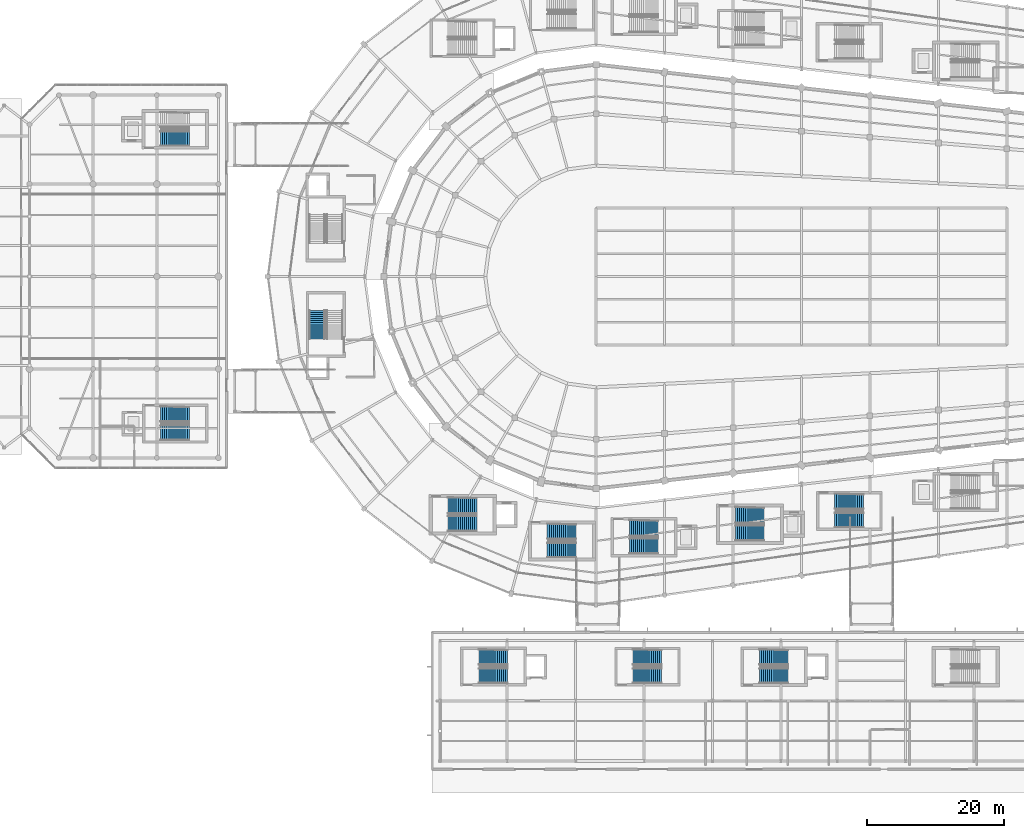
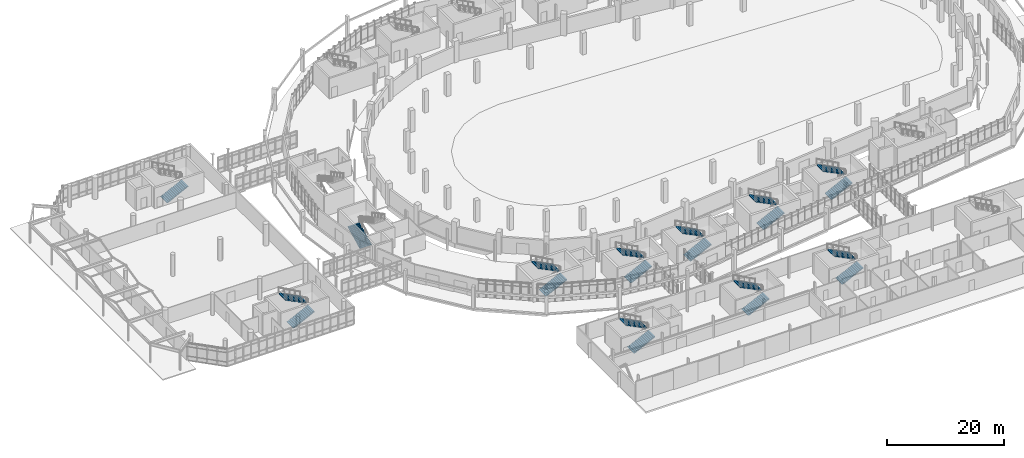
# One storey, part 111 of 122: 20 stair flights, 11 elements without a shape of their own.
"""IFC4 building model written with IfcOpenShell, lengths in metres."""

from ifc_helpers import new_model, si_unit, direction, frame, origin, place, context, subcontext, project, spatial, polyline, outline, extrude, material, type_object, element, aggregate, save


model = new_model("IFC4")

# Units and contexts
model_context = context("Model", 3, precision=1e-05, world=origin(), true_north=direction((0.0, 1.0)))
body_context = subcontext(model_context, "Body", "Model", "MODEL_VIEW")
ifc_project = project(units=[si_unit("LENGTHUNIT", "METRE"), si_unit("AREAUNIT", "SQUARE_METRE"), si_unit("VOLUMEUNIT", "CUBIC_METRE"), si_unit("PLANEANGLEUNIT", "RADIAN"), si_unit("MASSUNIT", "GRAM", prefix="KILO")], contexts=[model_context])

# Site, building, storey
site_placement = place(None, origin())
site = spatial("IfcSite", under=ifc_project, at=site_placement, CompositionType="ELEMENT")
building_placement = place(site_placement, origin())
building = spatial("IfcBuilding", under=site, at=building_placement, Name="Sohan Crest Arena", CompositionType="ELEMENT")
storey_placement = place(building_placement, origin())
storey = spatial("IfcBuildingStorey", under=building, at=storey_placement, Name="L00", CompositionType="ELEMENT", Elevation=0.0)

# Stair, stair flights
ifc_material = material(Name="Concrete C40/50", Category="concrete")
stair_type_1 = type_object("IfcStairType", Name="ST-450W", PredefinedType="TWO_STRAIGHT_RUN_STAIR", material=ifc_material)
stair_1_placement = place(storey_placement, origin())
stair_1 = element("IfcStair", 1, at=stair_1_placement, inside=storey, type_object=stair_type_1, Name="Protected exit stair ST12-L00", PredefinedType="TWO_STRAIGHT_RUN_STAIR")
stair_flight_type_1 = type_object("IfcStairFlightType", Name="FL-220-15", PredefinedType="STRAIGHT", material=ifc_material)
stair_flight_1_placement = place(storey_placement, frame((103.35009765625, 19.64990234375, 0.0), z_axis=(0.0, 0.0, 1.0), x_axis=(1.0, 0.0, 0.0)))
stair_flight_1 = element("IfcStairFlight", 2, at=stair_flight_1_placement, type_object=stair_flight_type_1, Name="ST12-L00 flight 1", NumberOfRisers=15, NumberOfTreads=14, PredefinedType="STRAIGHT", RiserHeight=0.15, TreadLength=0.3, context=body_context, shape_type="SweptSolid", body=[
    extrude(outline(polyline([(0.0, 0.0), (0.0, 0.14990234375), (0.300048828125, 0.14990234375), (0.300048828125, 0.300048828125), (0.60009765625, 0.300048828125), (0.60009765625, 0.449951171875), (0.89990234375, 0.449951171875), (0.89990234375, 0.60009765625), (1.199951171875, 0.60009765625), (1.199951171875, 0.75), (1.5, 0.75), (1.5, 0.89990234375), (1.800048828125, 0.89990234375), (1.800048828125, 1.050048828125), (2.10009765625, 1.050048828125), (2.10009765625, 1.199951171875), (2.39990234375, 1.199951171875), (2.39990234375, 1.35009765625), (2.699951171875, 1.35009765625), (2.699951171875, 1.5), (3.0, 1.5), (3.0, 1.64990234375), (3.300048828125, 1.64990234375), (3.300048828125, 1.800048828125), (3.60009765625, 1.800048828125), (3.60009765625, 1.949951171875), (3.89990234375, 1.949951171875), (3.89990234375, 2.10009765625), (4.199951171875, 2.10009765625), (4.199951171875, 2.25), (4.199951171875, 1.932373046875), (0.335205078125, 0.0), (0.0, 0.0)])), frame((0.0, 1.10009765625, 0.0), z_axis=(0.0, -1.0, 0.0), x_axis=(1.0, 0.0, 0.0)), (0.0, 0.0, 1.0), 2.199951171875),
])
stair_flight_2_placement = place(storey_placement, frame((107.550048828125, 22.35009765625, 2.25), z_axis=(0.0, 0.0, 1.0), x_axis=(-1.0, 0.0, 0.0)))
stair_flight_2 = element("IfcStairFlight", 3, at=stair_flight_2_placement, type_object=stair_flight_type_1, Name="ST12-L00 flight 2", NumberOfRisers=15, NumberOfTreads=14, PredefinedType="STRAIGHT", RiserHeight=0.15, TreadLength=0.3, context=body_context, shape_type="SweptSolid", body=[
    extrude(outline(polyline([(0.0, 0.0), (0.0, 0.14990234375), (0.300048828125, 0.14990234375), (0.300048828125, 0.300048828125), (0.60009765625, 0.300048828125), (0.60009765625, 0.449951171875), (0.89990234375, 0.449951171875), (0.89990234375, 0.60009765625), (1.199951171875, 0.60009765625), (1.199951171875, 0.75), (1.5, 0.75), (1.5, 0.89990234375), (1.800048828125, 0.89990234375), (1.800048828125, 1.050048828125), (2.10009765625, 1.050048828125), (2.10009765625, 1.199951171875), (2.39990234375, 1.199951171875), (2.39990234375, 1.35009765625), (2.699951171875, 1.35009765625), (2.699951171875, 1.5), (3.0, 1.5), (3.0, 1.64990234375), (3.300048828125, 1.64990234375), (3.300048828125, 1.800048828125), (3.60009765625, 1.800048828125), (3.60009765625, 1.949951171875), (3.89990234375, 1.949951171875), (3.89990234375, 2.10009765625), (4.199951171875, 2.10009765625), (4.199951171875, 2.25), (4.199951171875, 1.932373046875), (0.335205078125, 0.0), (0.0, 0.0)])), frame((0.0, 1.10009765625, 0.0), z_axis=(0.0, -1.0, 0.0), x_axis=(1.0, 0.0, 0.0)), (0.0, 0.0, 1.0), 2.199951171875),
])
aggregate(stair_1, [stair_flight_1, stair_flight_2])

stair_2_placement = place(storey_placement, origin())
stair_2 = element("IfcStair", 4, at=stair_2_placement, inside=storey, type_object=stair_type_1, Name="Protected exit stair ST13-L00", PredefinedType="TWO_STRAIGHT_RUN_STAIR")
stair_flight_3_placement = place(storey_placement, frame((34.35009765625, 55.14990234375, 0.0), z_axis=(0.0, 0.0, 1.0), x_axis=(1.0, 0.0, 0.0)))
stair_flight_3 = element("IfcStairFlight", 5, at=stair_flight_3_placement, type_object=stair_flight_type_1, Name="ST13-L00 flight 1", NumberOfRisers=15, NumberOfTreads=14, PredefinedType="STRAIGHT", RiserHeight=0.15, TreadLength=0.3, context=body_context, shape_type="SweptSolid", body=[
    extrude(outline(polyline([(0.0, 0.0), (0.0, 0.14990234375), (0.300048828125, 0.14990234375), (0.300048828125, 0.300048828125), (0.60009765625, 0.300048828125), (0.60009765625, 0.449951171875), (0.89990234375, 0.449951171875), (0.89990234375, 0.60009765625), (1.199951171875, 0.60009765625), (1.199951171875, 0.75), (1.5, 0.75), (1.5, 0.89990234375), (1.800048828125, 0.89990234375), (1.800048828125, 1.050048828125), (2.10009765625, 1.050048828125), (2.10009765625, 1.199951171875), (2.39990234375, 1.199951171875), (2.39990234375, 1.35009765625), (2.699951171875, 1.35009765625), (2.699951171875, 1.5), (3.0, 1.5), (3.0, 1.64990234375), (3.300048828125, 1.64990234375), (3.300048828125, 1.800048828125), (3.60009765625, 1.800048828125), (3.60009765625, 1.949951171875), (3.89990234375, 1.949951171875), (3.89990234375, 2.10009765625), (4.199951171875, 2.10009765625), (4.199951171875, 2.25), (4.199951171875, 1.932373046875), (0.335205078125, 0.0), (0.0, 0.0)])), frame((0.0, 1.10009765625, 0.0), z_axis=(0.0, -1.0, 0.0), x_axis=(1.0, 0.0, 0.0)), (0.0, 0.0, 1.0), 2.199951171875),
])
stair_flight_4_placement = place(storey_placement, frame((38.550048828125, 57.85009765625, 2.25), z_axis=(0.0, 0.0, 1.0), x_axis=(-1.0, 0.0, 0.0)))
stair_flight_4 = element("IfcStairFlight", 6, at=stair_flight_4_placement, type_object=stair_flight_type_1, Name="ST13-L00 flight 2", NumberOfRisers=15, NumberOfTreads=14, PredefinedType="STRAIGHT", RiserHeight=0.15, TreadLength=0.3, context=body_context, shape_type="SweptSolid", body=[
    extrude(outline(polyline([(0.0, 0.0), (0.0, 0.14990234375), (0.300048828125, 0.14990234375), (0.300048828125, 0.300048828125), (0.60009765625, 0.300048828125), (0.60009765625, 0.449951171875), (0.89990234375, 0.449951171875), (0.89990234375, 0.60009765625), (1.199951171875, 0.60009765625), (1.199951171875, 0.75), (1.5, 0.75), (1.5, 0.89990234375), (1.800048828125, 0.89990234375), (1.800048828125, 1.050048828125), (2.10009765625, 1.050048828125), (2.10009765625, 1.199951171875), (2.39990234375, 1.199951171875), (2.39990234375, 1.35009765625), (2.699951171875, 1.35009765625), (2.699951171875, 1.5), (3.0, 1.5), (3.0, 1.64990234375), (3.300048828125, 1.64990234375), (3.300048828125, 1.800048828125), (3.60009765625, 1.800048828125), (3.60009765625, 1.949951171875), (3.89990234375, 1.949951171875), (3.89990234375, 2.10009765625), (4.199951171875, 2.10009765625), (4.199951171875, 2.25), (4.199951171875, 1.932373046875), (0.335205078125, 0.0), (0.0, 0.0)])), frame((0.0, 1.10009765625, 0.0), z_axis=(0.0, -1.0, 0.0), x_axis=(1.0, 0.0, 0.0)), (0.0, 0.0, 1.0), 2.199951171875),
])
aggregate(stair_2, [stair_flight_3, stair_flight_4])

# Stair, stair flight
stair_3_placement = place(storey_placement, origin())
stair_3 = element("IfcStair", 7, at=stair_3_placement, inside=storey, type_object=stair_type_1, Name="Protected exit stair ST14-L00", PredefinedType="TWO_STRAIGHT_RUN_STAIR")
stair_flight_5_placement = place(storey_placement, frame((34.35009765625, 98.14990234375, 0.0), z_axis=(0.0, 0.0, 1.0), x_axis=(1.0, 0.0, 0.0)))
stair_flight_5 = element("IfcStairFlight", 8, at=stair_flight_5_placement, type_object=stair_flight_type_1, Name="ST14-L00 flight 1", NumberOfRisers=15, NumberOfTreads=14, PredefinedType="STRAIGHT", RiserHeight=0.15, TreadLength=0.3, context=body_context, shape_type="SweptSolid", body=[
    extrude(outline(polyline([(0.0, 0.0), (0.0, 0.14990234375), (0.300048828125, 0.14990234375), (0.300048828125, 0.300048828125), (0.60009765625, 0.300048828125), (0.60009765625, 0.449951171875), (0.89990234375, 0.449951171875), (0.89990234375, 0.60009765625), (1.199951171875, 0.60009765625), (1.199951171875, 0.75), (1.5, 0.75), (1.5, 0.89990234375), (1.800048828125, 0.89990234375), (1.800048828125, 1.050048828125), (2.10009765625, 1.050048828125), (2.10009765625, 1.199951171875), (2.39990234375, 1.199951171875), (2.39990234375, 1.35009765625), (2.699951171875, 1.35009765625), (2.699951171875, 1.5), (3.0, 1.5), (3.0, 1.64990234375), (3.300048828125, 1.64990234375), (3.300048828125, 1.800048828125), (3.60009765625, 1.800048828125), (3.60009765625, 1.949951171875), (3.89990234375, 1.949951171875), (3.89990234375, 2.10009765625), (4.199951171875, 2.10009765625), (4.199951171875, 2.25), (4.199951171875, 1.932373046875), (0.335205078125, 0.0), (0.0, 0.0)])), frame((0.0, 1.10009765625, 0.0), z_axis=(0.0, -1.0, 0.0), x_axis=(1.0, 0.0, 0.0)), (0.0, 0.0, 1.0), 2.199951171875),
])
aggregate(stair_3, [stair_flight_5])

# Stair, stair flights
stair_4_placement = place(storey_placement, origin())
stair_4 = element("IfcStair", 9, at=stair_4_placement, inside=storey, type_object=stair_type_1, Name="Protected exit stair ST17-L00", PredefinedType="TWO_STRAIGHT_RUN_STAIR")
stair_flight_6_placement = place(storey_placement, frame((80.85009765625, 19.64990234375, 0.0), z_axis=(0.0, 0.0, 1.0), x_axis=(1.0, 0.0, 0.0)))
stair_flight_6 = element("IfcStairFlight", 10, at=stair_flight_6_placement, type_object=stair_flight_type_1, Name="ST17-L00 flight 1", NumberOfRisers=15, NumberOfTreads=14, PredefinedType="STRAIGHT", RiserHeight=0.15, TreadLength=0.3, context=body_context, shape_type="SweptSolid", body=[
    extrude(outline(polyline([(0.0, 0.0), (0.0, 0.14990234375), (0.300048828125, 0.14990234375), (0.300048828125, 0.300048828125), (0.60009765625, 0.300048828125), (0.60009765625, 0.449951171875), (0.89990234375, 0.449951171875), (0.89990234375, 0.60009765625), (1.199951171875, 0.60009765625), (1.199951171875, 0.75), (1.5, 0.75), (1.5, 0.89990234375), (1.800048828125, 0.89990234375), (1.800048828125, 1.050048828125), (2.10009765625, 1.050048828125), (2.10009765625, 1.199951171875), (2.39990234375, 1.199951171875), (2.39990234375, 1.35009765625), (2.699951171875, 1.35009765625), (2.699951171875, 1.5), (3.0, 1.5), (3.0, 1.64990234375), (3.300048828125, 1.64990234375), (3.300048828125, 1.800048828125), (3.60009765625, 1.800048828125), (3.60009765625, 1.949951171875), (3.89990234375, 1.949951171875), (3.89990234375, 2.10009765625), (4.199951171875, 2.10009765625), (4.199951171875, 2.25), (4.199951171875, 1.932373046875), (0.335205078125, 0.0), (0.0, 0.0)])), frame((0.0, 1.10009765625, 0.0), z_axis=(0.0, -1.0, 0.0), x_axis=(1.0, 0.0, 0.0)), (0.0, 0.0, 1.0), 2.199951171875),
])
stair_flight_7_placement = place(storey_placement, frame((85.050048828125, 22.35009765625, 2.25), z_axis=(0.0, 0.0, 1.0), x_axis=(-1.0, 0.0, 0.0)))
stair_flight_7 = element("IfcStairFlight", 11, at=stair_flight_7_placement, type_object=stair_flight_type_1, Name="ST17-L00 flight 2", NumberOfRisers=15, NumberOfTreads=14, PredefinedType="STRAIGHT", RiserHeight=0.15, TreadLength=0.3, context=body_context, shape_type="SweptSolid", body=[
    extrude(outline(polyline([(0.0, 0.0), (0.0, 0.14990234375), (0.300048828125, 0.14990234375), (0.300048828125, 0.300048828125), (0.60009765625, 0.300048828125), (0.60009765625, 0.449951171875), (0.89990234375, 0.449951171875), (0.89990234375, 0.60009765625), (1.199951171875, 0.60009765625), (1.199951171875, 0.75), (1.5, 0.75), (1.5, 0.89990234375), (1.800048828125, 0.89990234375), (1.800048828125, 1.050048828125), (2.10009765625, 1.050048828125), (2.10009765625, 1.199951171875), (2.39990234375, 1.199951171875), (2.39990234375, 1.35009765625), (2.699951171875, 1.35009765625), (2.699951171875, 1.5), (3.0, 1.5), (3.0, 1.64990234375), (3.300048828125, 1.64990234375), (3.300048828125, 1.800048828125), (3.60009765625, 1.800048828125), (3.60009765625, 1.949951171875), (3.89990234375, 1.949951171875), (3.89990234375, 2.10009765625), (4.199951171875, 2.10009765625), (4.199951171875, 2.25), (4.199951171875, 1.932373046875), (0.335205078125, 0.0), (0.0, 0.0)])), frame((0.0, 1.10009765625, 0.0), z_axis=(0.0, -1.0, 0.0), x_axis=(1.0, 0.0, 0.0)), (0.0, 0.0, 1.0), 2.199951171875),
])
aggregate(stair_4, [stair_flight_6, stair_flight_7])

stair_5_placement = place(storey_placement, origin())
stair_5 = element("IfcStair", 12, at=stair_5_placement, inside=storey, type_object=stair_type_1, Name="Protected exit stair ST18-L00", PredefinedType="TWO_STRAIGHT_RUN_STAIR")
stair_flight_8_placement = place(storey_placement, frame((121.85009765625, 19.64990234375, 0.0), z_axis=(0.0, 0.0, 1.0), x_axis=(1.0, 0.0, 0.0)))
stair_flight_8 = element("IfcStairFlight", 13, at=stair_flight_8_placement, type_object=stair_flight_type_1, Name="ST18-L00 flight 1", NumberOfRisers=15, NumberOfTreads=14, PredefinedType="STRAIGHT", RiserHeight=0.15, TreadLength=0.3, context=body_context, shape_type="SweptSolid", body=[
    extrude(outline(polyline([(0.0, 0.0), (0.0, 0.14990234375), (0.300048828125, 0.14990234375), (0.300048828125, 0.300048828125), (0.60009765625, 0.300048828125), (0.60009765625, 0.449951171875), (0.89990234375, 0.449951171875), (0.89990234375, 0.60009765625), (1.199951171875, 0.60009765625), (1.199951171875, 0.75), (1.5, 0.75), (1.5, 0.89990234375), (1.800048828125, 0.89990234375), (1.800048828125, 1.050048828125), (2.10009765625, 1.050048828125), (2.10009765625, 1.199951171875), (2.39990234375, 1.199951171875), (2.39990234375, 1.35009765625), (2.699951171875, 1.35009765625), (2.699951171875, 1.5), (3.0, 1.5), (3.0, 1.64990234375), (3.300048828125, 1.64990234375), (3.300048828125, 1.800048828125), (3.60009765625, 1.800048828125), (3.60009765625, 1.949951171875), (3.89990234375, 1.949951171875), (3.89990234375, 2.10009765625), (4.199951171875, 2.10009765625), (4.199951171875, 2.25), (4.199951171875, 1.932373046875), (0.335205078125, 0.0), (0.0, 0.0)])), frame((0.0, 1.10009765625, 0.0), z_axis=(0.0, -1.0, 0.0), x_axis=(1.0, 0.0, 0.0)), (0.0, 0.0, 1.0), 2.199951171875),
])
stair_flight_9_placement = place(storey_placement, frame((126.050048828125, 22.35009765625, 2.25), z_axis=(0.0, 0.0, 1.0), x_axis=(-1.0, 0.0, 0.0)))
stair_flight_9 = element("IfcStairFlight", 14, at=stair_flight_9_placement, type_object=stair_flight_type_1, Name="ST18-L00 flight 2", NumberOfRisers=15, NumberOfTreads=14, PredefinedType="STRAIGHT", RiserHeight=0.15, TreadLength=0.3, context=body_context, shape_type="SweptSolid", body=[
    extrude(outline(polyline([(0.0, 0.0), (0.0, 0.14990234375), (0.300048828125, 0.14990234375), (0.300048828125, 0.300048828125), (0.60009765625, 0.300048828125), (0.60009765625, 0.449951171875), (0.89990234375, 0.449951171875), (0.89990234375, 0.60009765625), (1.199951171875, 0.60009765625), (1.199951171875, 0.75), (1.5, 0.75), (1.5, 0.89990234375), (1.800048828125, 0.89990234375), (1.800048828125, 1.050048828125), (2.10009765625, 1.050048828125), (2.10009765625, 1.199951171875), (2.39990234375, 1.199951171875), (2.39990234375, 1.35009765625), (2.699951171875, 1.35009765625), (2.699951171875, 1.5), (3.0, 1.5), (3.0, 1.64990234375), (3.300048828125, 1.64990234375), (3.300048828125, 1.800048828125), (3.60009765625, 1.800048828125), (3.60009765625, 1.949951171875), (3.89990234375, 1.949951171875), (3.89990234375, 2.10009765625), (4.199951171875, 2.10009765625), (4.199951171875, 2.25), (4.199951171875, 1.932373046875), (0.335205078125, 0.0), (0.0, 0.0)])), frame((0.0, 1.10009765625, 0.0), z_axis=(0.0, -1.0, 0.0), x_axis=(1.0, 0.0, 0.0)), (0.0, 0.0, 1.0), 2.199951171875),
])
aggregate(stair_5, [stair_flight_8, stair_flight_9])

stair_6_placement = place(storey_placement, origin())
stair_6 = element("IfcStair", 15, at=stair_6_placement, inside=storey, type_object=stair_type_1, Name="Protected exit stair ST19-L00", PredefinedType="TWO_STRAIGHT_RUN_STAIR")
stair_flight_10_placement = place(storey_placement, frame((90.85009765625, 38.010009765625, 0.0), z_axis=(0.0, 0.0, 1.0), x_axis=(1.0, 0.0, 0.0)))
stair_flight_10 = element("IfcStairFlight", 16, at=stair_flight_10_placement, type_object=stair_flight_type_1, Name="ST19-L00 flight 1", NumberOfRisers=15, NumberOfTreads=14, PredefinedType="STRAIGHT", RiserHeight=0.15, TreadLength=0.3, context=body_context, shape_type="SweptSolid", body=[
    extrude(outline(polyline([(0.0, 0.0), (0.0, 0.14990234375), (0.300048828125, 0.14990234375), (0.300048828125, 0.300048828125), (0.60009765625, 0.300048828125), (0.60009765625, 0.449951171875), (0.89990234375, 0.449951171875), (0.89990234375, 0.60009765625), (1.199951171875, 0.60009765625), (1.199951171875, 0.75), (1.5, 0.75), (1.5, 0.89990234375), (1.800048828125, 0.89990234375), (1.800048828125, 1.050048828125), (2.10009765625, 1.050048828125), (2.10009765625, 1.199951171875), (2.39990234375, 1.199951171875), (2.39990234375, 1.35009765625), (2.699951171875, 1.35009765625), (2.699951171875, 1.5), (3.0, 1.5), (3.0, 1.64990234375), (3.300048828125, 1.64990234375), (3.300048828125, 1.800048828125), (3.60009765625, 1.800048828125), (3.60009765625, 1.949951171875), (3.89990234375, 1.949951171875), (3.89990234375, 2.10009765625), (4.199951171875, 2.10009765625), (4.199951171875, 2.25), (4.199951171875, 1.932373046875), (0.335205078125, 0.0), (0.0, 0.0)])), frame((0.0, 1.10009765625, 0.0), z_axis=(0.0, -1.0, 0.0), x_axis=(1.0, 0.0, 0.0)), (0.0, 0.0, 1.0), 2.199951171875),
])
stair_flight_11_placement = place(storey_placement, frame((95.050048828125, 40.7099609375, 2.25), z_axis=(0.0, 0.0, 1.0), x_axis=(-1.0, 0.0, 0.0)))
stair_flight_11 = element("IfcStairFlight", 17, at=stair_flight_11_placement, type_object=stair_flight_type_1, Name="ST19-L00 flight 2", NumberOfRisers=15, NumberOfTreads=14, PredefinedType="STRAIGHT", RiserHeight=0.15, TreadLength=0.3, context=body_context, shape_type="SweptSolid", body=[
    extrude(outline(polyline([(0.0, 0.0), (0.0, 0.14990234375), (0.300048828125, 0.14990234375), (0.300048828125, 0.300048828125), (0.60009765625, 0.300048828125), (0.60009765625, 0.449951171875), (0.89990234375, 0.449951171875), (0.89990234375, 0.60009765625), (1.199951171875, 0.60009765625), (1.199951171875, 0.75), (1.5, 0.75), (1.5, 0.89990234375), (1.800048828125, 0.89990234375), (1.800048828125, 1.050048828125), (2.10009765625, 1.050048828125), (2.10009765625, 1.199951171875), (2.39990234375, 1.199951171875), (2.39990234375, 1.35009765625), (2.699951171875, 1.35009765625), (2.699951171875, 1.5), (3.0, 1.5), (3.0, 1.64990234375), (3.300048828125, 1.64990234375), (3.300048828125, 1.800048828125), (3.60009765625, 1.800048828125), (3.60009765625, 1.949951171875), (3.89990234375, 1.949951171875), (3.89990234375, 2.10009765625), (4.199951171875, 2.10009765625), (4.199951171875, 2.25), (4.199951171875, 1.932373046875), (0.335205078125, 0.0), (0.0, 0.0)])), frame((0.0, 1.10009765625, 0.0), z_axis=(0.0, -1.0, 0.0), x_axis=(1.0, 0.0, 0.0)), (0.0, 0.0, 1.0), 2.199951171875),
])
aggregate(stair_6, [stair_flight_10, stair_flight_11])

stair_7_placement = place(storey_placement, origin())
stair_7 = element("IfcStair", 18, at=stair_7_placement, inside=storey, type_object=stair_type_1, Name="Protected exit stair ST21-L00", PredefinedType="TWO_STRAIGHT_RUN_STAIR")
stair_flight_12_placement = place(storey_placement, frame((132.85009765625, 42.39990234375, 0.0), z_axis=(0.0, 0.0, 1.0), x_axis=(1.0, 0.0, 0.0)))
stair_flight_12 = element("IfcStairFlight", 19, at=stair_flight_12_placement, type_object=stair_flight_type_1, Name="ST21-L00 flight 1", NumberOfRisers=15, NumberOfTreads=14, PredefinedType="STRAIGHT", RiserHeight=0.15, TreadLength=0.3, context=body_context, shape_type="SweptSolid", body=[
    extrude(outline(polyline([(0.0, 0.0), (0.0, 0.14990234375), (0.300048828125, 0.14990234375), (0.300048828125, 0.300048828125), (0.60009765625, 0.300048828125), (0.60009765625, 0.449951171875), (0.89990234375, 0.449951171875), (0.89990234375, 0.60009765625), (1.199951171875, 0.60009765625), (1.199951171875, 0.75), (1.5, 0.75), (1.5, 0.89990234375), (1.800048828125, 0.89990234375), (1.800048828125, 1.050048828125), (2.10009765625, 1.050048828125), (2.10009765625, 1.199951171875), (2.39990234375, 1.199951171875), (2.39990234375, 1.35009765625), (2.699951171875, 1.35009765625), (2.699951171875, 1.5), (3.0, 1.5), (3.0, 1.64990234375), (3.300048828125, 1.64990234375), (3.300048828125, 1.800048828125), (3.60009765625, 1.800048828125), (3.60009765625, 1.949951171875), (3.89990234375, 1.949951171875), (3.89990234375, 2.10009765625), (4.199951171875, 2.10009765625), (4.199951171875, 2.25), (4.199951171875, 1.932373046875), (0.335205078125, 0.0), (0.0, 0.0)])), frame((0.0, 1.10009765625, 0.0), z_axis=(0.0, -1.0, 0.0), x_axis=(1.0, 0.0, 0.0)), (0.0, 0.0, 1.0), 2.199951171875),
])
stair_flight_13_placement = place(storey_placement, frame((137.050048828125, 45.10009765625, 2.25), z_axis=(0.0, 0.0, 1.0), x_axis=(-1.0, 0.0, 0.0)))
stair_flight_13 = element("IfcStairFlight", 20, at=stair_flight_13_placement, type_object=stair_flight_type_1, Name="ST21-L00 flight 2", NumberOfRisers=15, NumberOfTreads=14, PredefinedType="STRAIGHT", RiserHeight=0.15, TreadLength=0.3, context=body_context, shape_type="SweptSolid", body=[
    extrude(outline(polyline([(0.0, 0.0), (0.0, 0.14990234375), (0.300048828125, 0.14990234375), (0.300048828125, 0.300048828125), (0.60009765625, 0.300048828125), (0.60009765625, 0.449951171875), (0.89990234375, 0.449951171875), (0.89990234375, 0.60009765625), (1.199951171875, 0.60009765625), (1.199951171875, 0.75), (1.5, 0.75), (1.5, 0.89990234375), (1.800048828125, 0.89990234375), (1.800048828125, 1.050048828125), (2.10009765625, 1.050048828125), (2.10009765625, 1.199951171875), (2.39990234375, 1.199951171875), (2.39990234375, 1.35009765625), (2.699951171875, 1.35009765625), (2.699951171875, 1.5), (3.0, 1.5), (3.0, 1.64990234375), (3.300048828125, 1.64990234375), (3.300048828125, 1.800048828125), (3.60009765625, 1.800048828125), (3.60009765625, 1.949951171875), (3.89990234375, 1.949951171875), (3.89990234375, 2.10009765625), (4.199951171875, 2.10009765625), (4.199951171875, 2.25), (4.199951171875, 1.932373046875), (0.335205078125, 0.0), (0.0, 0.0)])), frame((0.0, 1.10009765625, 0.0), z_axis=(0.0, -1.0, 0.0), x_axis=(1.0, 0.0, 0.0)), (0.0, 0.0, 1.0), 2.199951171875),
])
aggregate(stair_7, [stair_flight_12, stair_flight_13])

# Stair, stair flight
stair_type_2 = type_object("IfcStairType", Name="ST-450", PredefinedType="TWO_STRAIGHT_RUN_STAIR", material=ifc_material)
stair_8_placement = place(storey_placement, origin())
stair_8 = element("IfcStair", 21, at=stair_8_placement, inside=storey, type_object=stair_type_2, Name="Protected exit stair ST01-L00", PredefinedType="TWO_STRAIGHT_RUN_STAIR")
stair_flight_type_2 = type_object("IfcStairFlightType", Name="FL-260-15", PredefinedType="STRAIGHT", material=ifc_material)
stair_flight_14_placement = place(storey_placement, frame((57.199951171875, 68.85009765625, 0.0), z_axis=(0.0, 0.0, 1.0), x_axis=(0.0, 1.0, 0.0)))
stair_flight_14 = element("IfcStairFlight", 22, at=stair_flight_14_placement, type_object=stair_flight_type_2, Name="ST01-L00 flight 1", NumberOfRisers=15, NumberOfTreads=14, PredefinedType="STRAIGHT", RiserHeight=0.15, TreadLength=0.3, context=body_context, shape_type="SweptSolid", body=[
    extrude(outline(polyline([(0.0, 0.0), (0.0, 0.14990234375), (0.300048828125, 0.14990234375), (0.300048828125, 0.300048828125), (0.60009765625, 0.300048828125), (0.60009765625, 0.449951171875), (0.89990234375, 0.449951171875), (0.89990234375, 0.60009765625), (1.199951171875, 0.60009765625), (1.199951171875, 0.75), (1.5, 0.75), (1.5, 0.89990234375), (1.800048828125, 0.89990234375), (1.800048828125, 1.050048828125), (2.10009765625, 1.050048828125), (2.10009765625, 1.199951171875), (2.39990234375, 1.199951171875), (2.39990234375, 1.35009765625), (2.699951171875, 1.35009765625), (2.699951171875, 1.5), (3.0, 1.5), (3.0, 1.64990234375), (3.300048828125, 1.64990234375), (3.300048828125, 1.800048828125), (3.60009765625, 1.800048828125), (3.60009765625, 1.949951171875), (3.89990234375, 1.949951171875), (3.89990234375, 2.10009765625), (4.199951171875, 2.10009765625), (4.199951171875, 2.25), (4.199951171875, 1.932373046875), (0.335205078125, 0.0), (0.0, 0.0)])), frame((0.0, 1.14990234375, 0.0), z_axis=(0.0, -1.0, 0.0), x_axis=(1.0, 0.0, 0.0)), (0.0, 0.0, 1.0), 2.300048828125),
])
aggregate(stair_8, [stair_flight_14])

# Stair, stair flights
stair_9_placement = place(storey_placement, origin())
stair_9 = element("IfcStair", 23, at=stair_9_placement, inside=storey, type_object=stair_type_2, Name="Protected exit stair ST03-L00", PredefinedType="TWO_STRAIGHT_RUN_STAIR")
stair_flight_15_placement = place(storey_placement, frame((76.35009765625, 41.89990234375, 0.0), z_axis=(0.0, 0.0, 1.0), x_axis=(1.0, 0.0, 0.0)))
stair_flight_15 = element("IfcStairFlight", 24, at=stair_flight_15_placement, type_object=stair_flight_type_2, Name="ST03-L00 flight 1", NumberOfRisers=15, NumberOfTreads=14, PredefinedType="STRAIGHT", RiserHeight=0.15, TreadLength=0.3, context=body_context, shape_type="SweptSolid", body=[
    extrude(outline(polyline([(0.0, 0.0), (0.0, 0.14990234375), (0.300048828125, 0.14990234375), (0.300048828125, 0.300048828125), (0.60009765625, 0.300048828125), (0.60009765625, 0.449951171875), (0.89990234375, 0.449951171875), (0.89990234375, 0.60009765625), (1.199951171875, 0.60009765625), (1.199951171875, 0.75), (1.5, 0.75), (1.5, 0.89990234375), (1.800048828125, 0.89990234375), (1.800048828125, 1.050048828125), (2.10009765625, 1.050048828125), (2.10009765625, 1.199951171875), (2.39990234375, 1.199951171875), (2.39990234375, 1.35009765625), (2.699951171875, 1.35009765625), (2.699951171875, 1.5), (3.0, 1.5), (3.0, 1.64990234375), (3.300048828125, 1.64990234375), (3.300048828125, 1.800048828125), (3.60009765625, 1.800048828125), (3.60009765625, 1.949951171875), (3.89990234375, 1.949951171875), (3.89990234375, 2.10009765625), (4.199951171875, 2.10009765625), (4.199951171875, 2.25), (4.199951171875, 1.932373046875), (0.335205078125, 0.0), (0.0, 0.0)])), frame((0.0, 1.14990234375, 0.0), z_axis=(0.0, -1.0, 0.0), x_axis=(1.0, 0.0, 0.0)), (0.0, 0.0, 1.0), 2.300048828125),
])
stair_flight_16_placement = place(storey_placement, frame((80.550048828125, 44.5, 2.25), z_axis=(0.0, 0.0, 1.0), x_axis=(-1.0, 0.0, 0.0)))
stair_flight_16 = element("IfcStairFlight", 25, at=stair_flight_16_placement, type_object=stair_flight_type_2, Name="ST03-L00 flight 2", NumberOfRisers=15, NumberOfTreads=14, PredefinedType="STRAIGHT", RiserHeight=0.15, TreadLength=0.3, context=body_context, shape_type="SweptSolid", body=[
    extrude(outline(polyline([(0.0, 0.0), (0.0, 0.14990234375), (0.300048828125, 0.14990234375), (0.300048828125, 0.300048828125), (0.60009765625, 0.300048828125), (0.60009765625, 0.449951171875), (0.89990234375, 0.449951171875), (0.89990234375, 0.60009765625), (1.199951171875, 0.60009765625), (1.199951171875, 0.75), (1.5, 0.75), (1.5, 0.89990234375), (1.800048828125, 0.89990234375), (1.800048828125, 1.050048828125), (2.10009765625, 1.050048828125), (2.10009765625, 1.199951171875), (2.39990234375, 1.199951171875), (2.39990234375, 1.35009765625), (2.699951171875, 1.35009765625), (2.699951171875, 1.5), (3.0, 1.5), (3.0, 1.64990234375), (3.300048828125, 1.64990234375), (3.300048828125, 1.800048828125), (3.60009765625, 1.800048828125), (3.60009765625, 1.949951171875), (3.89990234375, 1.949951171875), (3.89990234375, 2.10009765625), (4.199951171875, 2.10009765625), (4.199951171875, 2.25), (4.199951171875, 1.932373046875), (0.335205078125, 0.0), (0.0, 0.0)])), frame((0.0, 1.14990234375, 0.0), z_axis=(0.0, -1.0, 0.0), x_axis=(1.0, 0.0, 0.0)), (0.0, 0.0, 1.0), 2.300048828125),
])
aggregate(stair_9, [stair_flight_15, stair_flight_16])

stair_10_placement = place(storey_placement, origin())
stair_10 = element("IfcStair", 26, at=stair_10_placement, inside=storey, type_object=stair_type_2, Name="Protected exit stair ST05-L00", PredefinedType="TWO_STRAIGHT_RUN_STAIR")
stair_flight_17_placement = place(storey_placement, frame((102.85009765625, 38.60009765625, 0.0), z_axis=(0.0, 0.0, 1.0), x_axis=(1.0, 0.0, 0.0)))
stair_flight_17 = element("IfcStairFlight", 27, at=stair_flight_17_placement, type_object=stair_flight_type_2, Name="ST05-L00 flight 1", NumberOfRisers=15, NumberOfTreads=14, PredefinedType="STRAIGHT", RiserHeight=0.15, TreadLength=0.3, context=body_context, shape_type="SweptSolid", body=[
    extrude(outline(polyline([(0.0, 0.0), (0.0, 0.14990234375), (0.300048828125, 0.14990234375), (0.300048828125, 0.300048828125), (0.60009765625, 0.300048828125), (0.60009765625, 0.449951171875), (0.89990234375, 0.449951171875), (0.89990234375, 0.60009765625), (1.199951171875, 0.60009765625), (1.199951171875, 0.75), (1.5, 0.75), (1.5, 0.89990234375), (1.800048828125, 0.89990234375), (1.800048828125, 1.050048828125), (2.10009765625, 1.050048828125), (2.10009765625, 1.199951171875), (2.39990234375, 1.199951171875), (2.39990234375, 1.35009765625), (2.699951171875, 1.35009765625), (2.699951171875, 1.5), (3.0, 1.5), (3.0, 1.64990234375), (3.300048828125, 1.64990234375), (3.300048828125, 1.800048828125), (3.60009765625, 1.800048828125), (3.60009765625, 1.949951171875), (3.89990234375, 1.949951171875), (3.89990234375, 2.10009765625), (4.199951171875, 2.10009765625), (4.199951171875, 2.25), (4.199951171875, 1.932373046875), (0.335205078125, 0.0), (0.0, 0.0)])), frame((0.0, 1.14990234375, 0.0), z_axis=(0.0, -1.0, 0.0), x_axis=(1.0, 0.0, 0.0)), (0.0, 0.0, 1.0), 2.300048828125),
])
stair_flight_18_placement = place(storey_placement, frame((107.050048828125, 41.199951171875, 2.25), z_axis=(0.0, 0.0, 1.0), x_axis=(-1.0, 0.0, 0.0)))
stair_flight_18 = element("IfcStairFlight", 28, at=stair_flight_18_placement, type_object=stair_flight_type_2, Name="ST05-L00 flight 2", NumberOfRisers=15, NumberOfTreads=14, PredefinedType="STRAIGHT", RiserHeight=0.15, TreadLength=0.3, context=body_context, shape_type="SweptSolid", body=[
    extrude(outline(polyline([(0.0, 0.0), (0.0, 0.14990234375), (0.300048828125, 0.14990234375), (0.300048828125, 0.300048828125), (0.60009765625, 0.300048828125), (0.60009765625, 0.449951171875), (0.89990234375, 0.449951171875), (0.89990234375, 0.60009765625), (1.199951171875, 0.60009765625), (1.199951171875, 0.75), (1.5, 0.75), (1.5, 0.89990234375), (1.800048828125, 0.89990234375), (1.800048828125, 1.050048828125), (2.10009765625, 1.050048828125), (2.10009765625, 1.199951171875), (2.39990234375, 1.199951171875), (2.39990234375, 1.35009765625), (2.699951171875, 1.35009765625), (2.699951171875, 1.5), (3.0, 1.5), (3.0, 1.64990234375), (3.300048828125, 1.64990234375), (3.300048828125, 1.800048828125), (3.60009765625, 1.800048828125), (3.60009765625, 1.949951171875), (3.89990234375, 1.949951171875), (3.89990234375, 2.10009765625), (4.199951171875, 2.10009765625), (4.199951171875, 2.25), (4.199951171875, 1.932373046875), (0.335205078125, 0.0), (0.0, 0.0)])), frame((0.0, 1.14990234375, 0.0), z_axis=(0.0, -1.0, 0.0), x_axis=(1.0, 0.0, 0.0)), (0.0, 0.0, 1.0), 2.300048828125),
])
aggregate(stair_10, [stair_flight_17, stair_flight_18])

stair_11_placement = place(storey_placement, origin())
stair_11 = element("IfcStair", 29, at=stair_11_placement, inside=storey, type_object=stair_type_2, Name="Protected exit stair ST07-L00", PredefinedType="TWO_STRAIGHT_RUN_STAIR")
stair_flight_19_placement = place(storey_placement, frame((118.35009765625, 40.5, 0.0), z_axis=(0.0, 0.0, 1.0), x_axis=(1.0, 0.0, 0.0)))
stair_flight_19 = element("IfcStairFlight", 30, at=stair_flight_19_placement, type_object=stair_flight_type_2, Name="ST07-L00 flight 1", NumberOfRisers=15, NumberOfTreads=14, PredefinedType="STRAIGHT", RiserHeight=0.15, TreadLength=0.3, context=body_context, shape_type="SweptSolid", body=[
    extrude(outline(polyline([(0.0, 0.0), (0.0, 0.14990234375), (0.300048828125, 0.14990234375), (0.300048828125, 0.300048828125), (0.60009765625, 0.300048828125), (0.60009765625, 0.449951171875), (0.89990234375, 0.449951171875), (0.89990234375, 0.60009765625), (1.199951171875, 0.60009765625), (1.199951171875, 0.75), (1.5, 0.75), (1.5, 0.89990234375), (1.800048828125, 0.89990234375), (1.800048828125, 1.050048828125), (2.10009765625, 1.050048828125), (2.10009765625, 1.199951171875), (2.39990234375, 1.199951171875), (2.39990234375, 1.35009765625), (2.699951171875, 1.35009765625), (2.699951171875, 1.5), (3.0, 1.5), (3.0, 1.64990234375), (3.300048828125, 1.64990234375), (3.300048828125, 1.800048828125), (3.60009765625, 1.800048828125), (3.60009765625, 1.949951171875), (3.89990234375, 1.949951171875), (3.89990234375, 2.10009765625), (4.199951171875, 2.10009765625), (4.199951171875, 2.25), (4.199951171875, 1.932373046875), (0.335205078125, 0.0), (0.0, 0.0)])), frame((0.0, 1.14990234375, 0.0), z_axis=(0.0, -1.0, 0.0), x_axis=(1.0, 0.0, 0.0)), (0.0, 0.0, 1.0), 2.300048828125),
])
stair_flight_20_placement = place(storey_placement, frame((122.550048828125, 43.10009765625, 2.25), z_axis=(0.0, 0.0, 1.0), x_axis=(-1.0, 0.0, 0.0)))
stair_flight_20 = element("IfcStairFlight", 31, at=stair_flight_20_placement, type_object=stair_flight_type_2, Name="ST07-L00 flight 2", NumberOfRisers=15, NumberOfTreads=14, PredefinedType="STRAIGHT", RiserHeight=0.15, TreadLength=0.3, context=body_context, shape_type="SweptSolid", body=[
    extrude(outline(polyline([(0.0, 0.0), (0.0, 0.14990234375), (0.300048828125, 0.14990234375), (0.300048828125, 0.300048828125), (0.60009765625, 0.300048828125), (0.60009765625, 0.449951171875), (0.89990234375, 0.449951171875), (0.89990234375, 0.60009765625), (1.199951171875, 0.60009765625), (1.199951171875, 0.75), (1.5, 0.75), (1.5, 0.89990234375), (1.800048828125, 0.89990234375), (1.800048828125, 1.050048828125), (2.10009765625, 1.050048828125), (2.10009765625, 1.199951171875), (2.39990234375, 1.199951171875), (2.39990234375, 1.35009765625), (2.699951171875, 1.35009765625), (2.699951171875, 1.5), (3.0, 1.5), (3.0, 1.64990234375), (3.300048828125, 1.64990234375), (3.300048828125, 1.800048828125), (3.60009765625, 1.800048828125), (3.60009765625, 1.949951171875), (3.89990234375, 1.949951171875), (3.89990234375, 2.10009765625), (4.199951171875, 2.10009765625), (4.199951171875, 2.25), (4.199951171875, 1.932373046875), (0.335205078125, 0.0), (0.0, 0.0)])), frame((0.0, 1.14990234375, 0.0), z_axis=(0.0, -1.0, 0.0), x_axis=(1.0, 0.0, 0.0)), (0.0, 0.0, 1.0), 2.300048828125),
])
aggregate(stair_11, [stair_flight_19, stair_flight_20])

save(model, "model.ifc")
